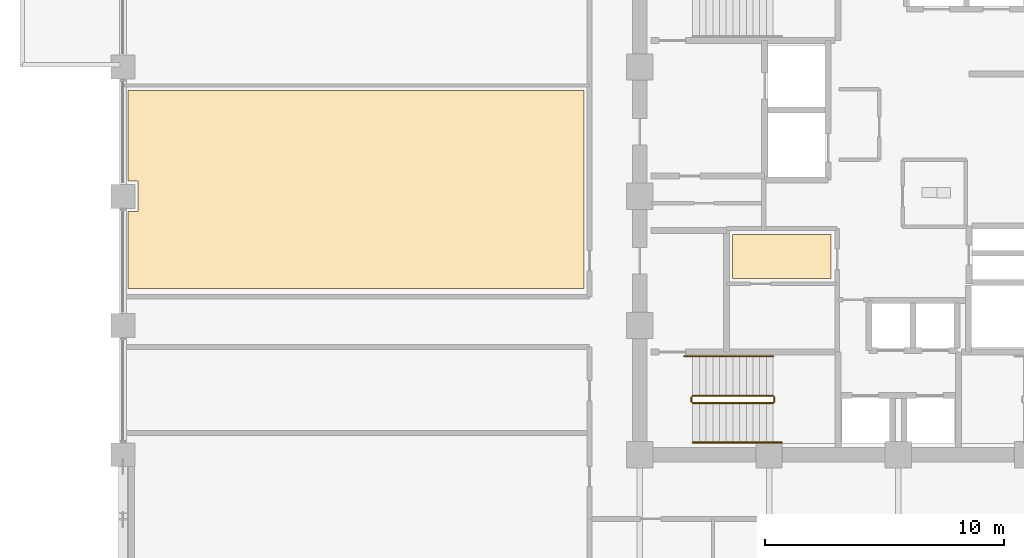
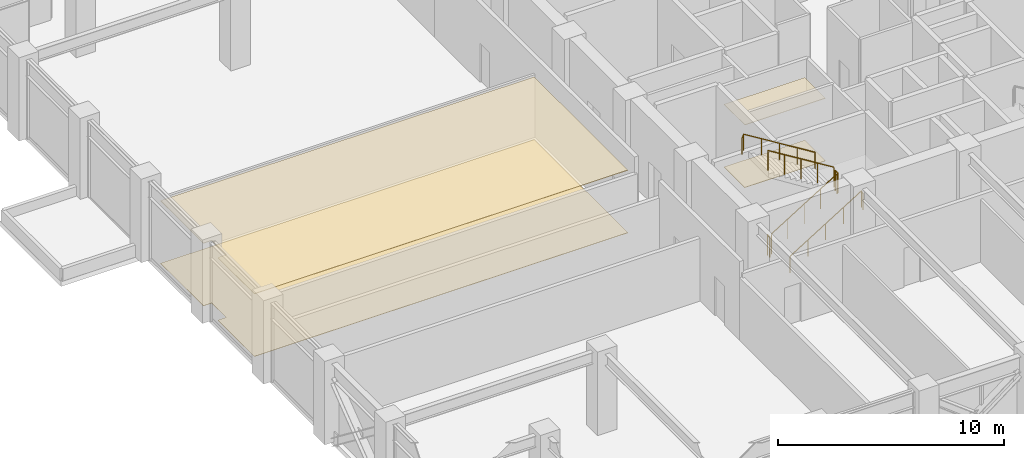
# One storey, part 23 of 25: 6 railings, 4 coverings.
"""IFC4 building model written with IfcOpenShell, lengths in metres."""

from ifc_helpers import new_model, si_unit, direction, frame, origin, origin_2d, place, context, subcontext, project, spatial, polyline, circle, outline, extrude, material, layer, layer_set, type_object, element, save


model = new_model("IFC4")

# Units and contexts
model_context = context("Model", 3, precision=1e-05, world=origin(), true_north=direction((0.0, 1.0)))
body_context = subcontext(model_context, "Body", "Model", "MODEL_VIEW")
ifc_project = project(units=[si_unit("LENGTHUNIT", "METRE"), si_unit("AREAUNIT", "SQUARE_METRE"), si_unit("VOLUMEUNIT", "CUBIC_METRE"), si_unit("PLANEANGLEUNIT", "RADIAN"), si_unit("MASSUNIT", "GRAM", prefix="KILO")], contexts=[model_context])

# Site, building, storey
site_placement = place(None, origin())
site = spatial("IfcSite", under=ifc_project, at=site_placement, CompositionType="ELEMENT")
building_placement = place(site_placement, origin())
building = spatial("IfcBuilding", under=site, at=building_placement, Name="Surkhivell Harbour Commons", CompositionType="ELEMENT")
storey_placement = place(building_placement, frame((0.0, 0.0, 162.0)))
storey = spatial("IfcBuildingStorey", under=building, at=storey_placement, Name="L42", CompositionType="ELEMENT", Elevation=162.0)

# Coverings
ifc_material_1 = material(Name="Perforated acoustic mineral-fibre ceiling tile", Category="other")
ifc_layer_1 = layer(ifc_material_1, 0.02490234375)
ifc_layer_set_1 = layer_set([ifc_layer_1], Name="Perforated acoustic mineral-fibre ceiling tile")
covering_type_1 = type_object("IfcCoveringType", Name="COV-CEIL-AC", PredefinedType="CEILING", material=ifc_layer_set_1)
covering_1_placement = place(storey_placement, frame((0.0, 0.0, 3.3740234375)))
element("IfcCovering", 1, at=covering_1_placement, inside=storey, type_object=covering_type_1, Name="L42 Suspended Acoustic Ceiling 1", PredefinedType="CEILING", context=body_context, shape_type="SweptSolid", body=[
    extrude(outline(polyline([(-6.929931640625, -3.429931640625), (-2.820068359375, -3.429931640625), (-2.820068359375, -1.60009765625), (-6.929931640625, -1.60009765625), (-6.929931640625, -3.429931640625)])), origin(), (0.0, 0.0, 1.0), 0.02490234375),
])
ifc_material_2 = material(Name="Moisture-resistant gypsum acoustic ceiling board", Category="other")
ifc_layer_2 = layer(ifc_material_2, 0.030029296875)
ifc_layer_set_2 = layer_set([ifc_layer_2], Name="Moisture-resistant gypsum acoustic ceiling board")
covering_type_2 = type_object("IfcCoveringType", Name="COV-CEIL-GYP", PredefinedType="CEILING", material=ifc_layer_set_2)
covering_2_placement = place(storey_placement, frame((0.0, 0.0, 3.368896484375)))
element("IfcCovering", 2, at=covering_2_placement, inside=storey, type_object=covering_type_2, Name="L42 Suspended Acoustic Ceiling 2", PredefinedType="CEILING", context=body_context, shape_type="SweptSolid", body=[
    extrude(outline(polyline([(-13.139892578125, -3.860107421875), (-13.139892578125, 4.419921875), (-32.18994140625, 4.419921875), (-32.18994140625, 0.639892578125), (-31.760009765625, 0.639892578125), (-31.760009765625, -0.639892578125), (-32.18994140625, -0.639892578125), (-32.18994140625, -3.860107421875), (-13.139892578125, -3.860107421875)])), origin(), (0.0, 0.0, 1.0), 0.030029296875),
])
ifc_material_3 = material(Name="Engineered acoustic oak timber flooring", Category="wood")
ifc_layer_3 = layer(ifc_material_3, 0.02001953125)
ifc_layer_set_3 = layer_set([ifc_layer_3], Name="Engineered acoustic oak timber flooring")
covering_type_3 = type_object("IfcCoveringType", Name="COV-FLR-TIM", PredefinedType="FLOORING", material=ifc_layer_set_3)
covering_3_placement = place(storey_placement, origin())
element("IfcCovering", 3, at=covering_3_placement, inside=storey, type_object=covering_type_3, Name="L42 Interior Floor Finish 1", PredefinedType="FLOORING", context=body_context, shape_type="SweptSolid", body=[
    extrude(outline(polyline([(-6.929931640625, -3.429931640625), (-2.820068359375, -3.429931640625), (-2.820068359375, -1.60009765625), (-6.929931640625, -1.60009765625), (-6.929931640625, -3.429931640625)])), origin(), (0.0, 0.0, 1.0), 0.02001953125),
])
covering_4_placement = place(storey_placement, origin())
element("IfcCovering", 4, at=covering_4_placement, inside=storey, type_object=covering_type_3, Name="L42 Interior Floor Finish 2", PredefinedType="FLOORING", context=body_context, shape_type="SweptSolid", body=[
    extrude(outline(polyline([(-13.139892578125, -3.860107421875), (-13.139892578125, 4.419921875), (-32.18994140625, 4.419921875), (-32.18994140625, 0.639892578125), (-31.760009765625, 0.639892578125), (-31.760009765625, -0.639892578125), (-32.18994140625, -0.639892578125), (-32.18994140625, -3.860107421875), (-13.139892578125, -3.860107421875)])), origin(), (0.0, 0.0, 1.0), 0.02001953125),
])

# Railings
ifc_material_4 = material(Name="Galvanised and painted steel S355 guard rail", Category="steel")
railing_type_1 = type_object("IfcRailingType", Name="RAL-ST-GRD1100", PredefinedType="GUARDRAIL", material=ifc_material_4)
railing_1_placement = place(storey_placement, frame((-8.590087890625, -8.639892578125, 0.173095703125)))
element("IfcRailing", 5, at=railing_1_placement, inside=storey, type_object=railing_type_1, Name="L42 ST3 stair guard 1", PredefinedType="GUARDRAIL", context=body_context, shape_type="SweptSolid", body=[
    extrude(circle(Radius=0.02392578125, at=origin_2d()), frame((0.0, 0.0, 1.076171875), z_axis=(0.850623216509, 0.0, 0.525775754039), x_axis=(0.0, 1.0, 0.0)), (0.0, 0.0, 1.0), 3.9501953125),
    extrude(circle(Radius=0.02099609375, at=origin_2d()), origin(), (0.0, 0.0, 1.0), 1.052001953125),
    extrude(circle(Radius=0.02099609375, at=origin_2d()), frame((0.840087890625, 0.0, 0.519287109375)), (0.0, 0.0, 1.0), 1.052001953125),
    extrude(circle(Radius=0.02099609375, at=origin_2d()), frame((1.68017578125, 0.0, 1.03857421875)), (0.0, 0.0, 1.0), 1.052001953125),
    extrude(circle(Radius=0.02099609375, at=origin_2d()), frame((2.52001953125, 0.0, 1.5576171875)), (0.0, 0.0, 1.0), 1.052001953125),
    extrude(circle(Radius=0.02099609375, at=origin_2d()), frame((3.360107421875, 0.0, 2.076904296875)), (0.0, 0.0, 1.0), 1.052001953125),
])
railing_2_placement = place(storey_placement, frame((-5.179931640625, -8.590087890625, 2.25)))
element("IfcRailing", 6, at=railing_2_placement, inside=storey, type_object=railing_type_1, Name="L42 ST3 stair guard 2", PredefinedType="GUARDRAIL", context=body_context, shape_type="SweptSolid", body=[
    extrude(circle(Radius=0.02392578125, at=origin_2d()), frame((0.0, 0.0, 1.076171875), z_axis=(0.0, 1.0, 0.0), x_axis=(-1.0, 0.0, 0.0)), (0.0, 0.0, 1.0), 0.2001953125),
    extrude(circle(Radius=0.02099609375, at=origin_2d()), origin(), (0.0, 0.0, 1.0), 1.052001953125),
    extrude(circle(Radius=0.02099609375, at=origin_2d()), frame((0.0, 0.2001953125, 0.0)), (0.0, 0.0, 1.0), 1.052001953125),
])
railing_3_placement = place(storey_placement, frame((-5.22998046875, -8.340087890625, 2.423095703125)))
element("IfcRailing", 7, at=railing_3_placement, inside=storey, type_object=railing_type_1, Name="L42 ST3 stair guard 3", PredefinedType="GUARDRAIL", context=body_context, shape_type="SweptSolid", body=[
    extrude(circle(Radius=0.02392578125, at=origin_2d()), frame((0.0, 0.0, 1.076171875), z_axis=(-0.850623216509, 0.0, 0.525775754039), x_axis=(0.0, -1.0, 0.0)), (0.0, 0.0, 1.0), 3.9501953125),
    extrude(circle(Radius=0.02099609375, at=origin_2d()), origin(), (0.0, 0.0, 1.0), 1.052001953125),
    extrude(circle(Radius=0.02099609375, at=origin_2d()), frame((-0.840087890625, 0.0, 0.519287109375)), (0.0, 0.0, 1.0), 1.052001953125),
    extrude(circle(Radius=0.02099609375, at=origin_2d()), frame((-1.68017578125, 0.0, 1.03857421875)), (0.0, 0.0, 1.0), 1.052001953125),
    extrude(circle(Radius=0.02099609375, at=origin_2d()), frame((-2.52001953125, 0.0, 1.5576171875)), (0.0, 0.0, 1.0), 1.052001953125),
    extrude(circle(Radius=0.02099609375, at=origin_2d()), frame((-3.360107421875, 0.0, 2.076904296875)), (0.0, 0.0, 1.0), 1.052001953125),
])
railing_4_placement = place(storey_placement, frame((-8.639892578125, -8.590087890625, 0.0)))
element("IfcRailing", 8, at=railing_4_placement, inside=storey, type_object=railing_type_1, Name="L42 ST3 stair guard 4", PredefinedType="GUARDRAIL", context=body_context, shape_type="SweptSolid", body=[
    extrude(circle(Radius=0.02392578125, at=origin_2d()), frame((0.0, 0.0, 1.076171875), z_axis=(0.0, 1.0, 0.0), x_axis=(-1.0, 0.0, 0.0)), (0.0, 0.0, 1.0), 0.2001953125),
    extrude(circle(Radius=0.02099609375, at=origin_2d()), origin(), (0.0, 0.0, 1.0), 1.052001953125),
    extrude(circle(Radius=0.02099609375, at=origin_2d()), frame((0.0, 0.2001953125, 0.0)), (0.0, 0.0, 1.0), 1.052001953125),
])
ifc_material_5 = material(Name="Brushed stainless steel S355 handrail", Category="steel")
railing_type_2 = type_object("IfcRailingType", Name="RAL-ST-HND900", PredefinedType="HANDRAIL", material=ifc_material_5)
railing_5_placement = place(storey_placement, frame((-8.590087890625, -10.2900390625, 0.173095703125)))
element("IfcRailing", 9, at=railing_5_placement, inside=storey, type_object=railing_type_2, Name="L42 ST3 stair handrail 1", PredefinedType="HANDRAIL", context=body_context, shape_type="SweptSolid", body=[
    extrude(circle(Radius=0.02392578125, at=origin_2d()), frame((0.0, 0.0, 0.8759765625), z_axis=(0.850622404505, 0.0, 0.525777067734), x_axis=(0.0, 1.0, 0.0)), (0.0, 0.0, 1.0), 4.279296875),
    extrude(circle(Radius=0.02392578125, at=origin_2d()), frame((3.64013671875, 0.0, 3.1259765625), z_axis=(0.418814502111, 0.0, -0.908071810388), x_axis=(0.0, 1.0, 0.0)), (0.0, 0.0, 1.0), 0.190673828125),
    extrude(circle(Radius=0.02099609375, at=origin_2d()), origin(), (0.0, 0.0, 1.0), 0.851806640625),
    extrude(circle(Radius=0.02099609375, at=origin_2d()), frame((0.91015625, 0.0, 0.5625)), (0.0, 0.0, 1.0), 0.851806640625),
    extrude(circle(Radius=0.02099609375, at=origin_2d()), frame((1.820068359375, 0.0, 1.125)), (0.0, 0.0, 1.0), 0.851806640625),
    extrude(circle(Radius=0.02099609375, at=origin_2d()), frame((2.72998046875, 0.0, 1.6875)), (0.0, 0.0, 1.0), 0.851806640625),
    extrude(circle(Radius=0.02099609375, at=origin_2d()), frame((3.64013671875, 0.0, 2.25)), (0.0, 0.0, 1.0), 0.851806640625),
    extrude(circle(Radius=0.02099609375, at=origin_2d()), frame((3.719970703125, 0.0, 2.076904296875)), (0.0, 0.0, 1.0), 0.851806640625),
])
railing_6_placement = place(storey_placement, frame((-5.22998046875, -6.68994140625, 2.423095703125)))
element("IfcRailing", 10, at=railing_6_placement, inside=storey, type_object=railing_type_2, Name="L42 ST3 stair handrail 2", PredefinedType="HANDRAIL", context=body_context, shape_type="SweptSolid", body=[
    extrude(circle(Radius=0.02392578125, at=origin_2d()), frame((0.0, 0.0, 0.8759765625), z_axis=(-0.850622404505, 0.0, 0.525777067734), x_axis=(0.0, -1.0, 0.0)), (0.0, 0.0, 1.0), 4.279296875),
    extrude(circle(Radius=0.02392578125, at=origin_2d()), frame((-3.64013671875, 0.0, 3.1259765625), z_axis=(-0.418814502111, 0.0, -0.908071810388), x_axis=(0.0, -1.0, 0.0)), (0.0, 0.0, 1.0), 0.190673828125),
    extrude(circle(Radius=0.02099609375, at=origin_2d()), origin(), (0.0, 0.0, 1.0), 0.851806640625),
    extrude(circle(Radius=0.02099609375, at=origin_2d()), frame((-0.91015625, 0.0, 0.5625)), (0.0, 0.0, 1.0), 0.851806640625),
    extrude(circle(Radius=0.02099609375, at=origin_2d()), frame((-1.820068359375, 0.0, 1.125)), (0.0, 0.0, 1.0), 0.851806640625),
    extrude(circle(Radius=0.02099609375, at=origin_2d()), frame((-2.72998046875, 0.0, 1.6875)), (0.0, 0.0, 1.0), 0.851806640625),
    extrude(circle(Radius=0.02099609375, at=origin_2d()), frame((-3.64013671875, 0.0, 2.25)), (0.0, 0.0, 1.0), 0.851806640625),
    extrude(circle(Radius=0.02099609375, at=origin_2d()), frame((-3.719970703125, 0.0, 2.076904296875)), (0.0, 0.0, 1.0), 0.851806640625),
])

save(model, "model.ifc")
